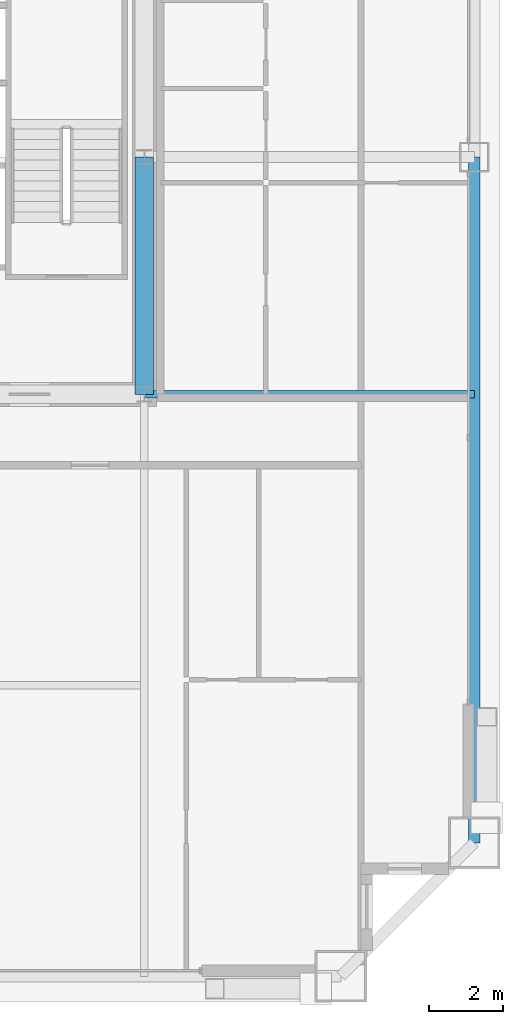
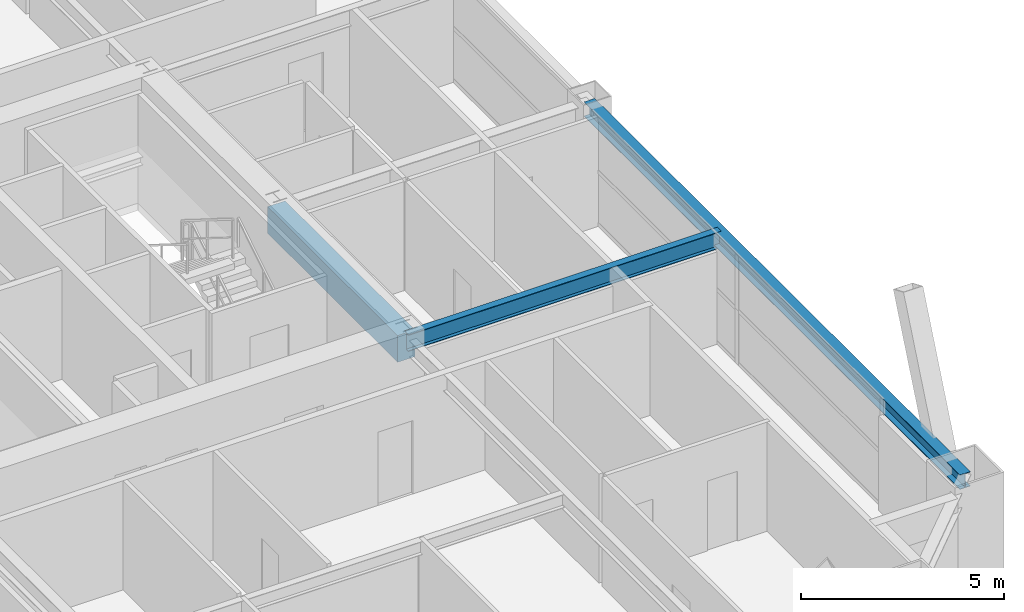
# One storey, part 23 of 45: 3 beams.
"""IFC4 building model written with IfcOpenShell, lengths in metres."""

from ifc_helpers import new_model, si_unit, direction, frame, origin, origin_2d, place, context, subcontext, project, spatial, rectangle, i_section, extrude, source, transform, mapped, material, material_profile, profile_set, type_object, element, save


model = new_model("IFC4")

# Units and contexts
model_context = context("Model", 3, precision=1e-05, world=origin(), true_north=direction((0.0, 1.0)))
body_context = subcontext(model_context, "Body", "Model", "MODEL_VIEW")
ifc_project = project(units=[si_unit("LENGTHUNIT", "METRE"), si_unit("AREAUNIT", "SQUARE_METRE"), si_unit("VOLUMEUNIT", "CUBIC_METRE"), si_unit("PLANEANGLEUNIT", "RADIAN"), si_unit("MASSUNIT", "GRAM", prefix="KILO"), si_unit("THERMODYNAMICTEMPERATUREUNIT", "KELVIN"), si_unit("POWERUNIT", "WATT")], contexts=[model_context])

# Site, building, storey
site_placement = place(None, origin())
site = spatial("IfcSite", under=ifc_project, at=site_placement, CompositionType="ELEMENT")
building_placement = place(site_placement, origin())
building = spatial("IfcBuilding", under=site, at=building_placement, Name="Yuzanri Waterfront Tower", CompositionType="ELEMENT")
storey_placement = place(building_placement, frame((0.0, 0.0, 198.5)))
storey = spatial("IfcBuildingStorey", under=building, at=storey_placement, Name="L52", CompositionType="ELEMENT", Elevation=198.5)

# Beams
ifc_material_1 = material(Name="Steel Q355B", Category="steel")
ifc_material_profile_1 = material_profile(ifc_material_1, i_section(OverallWidth=0.300048828125, OverallDepth=0.43994140625, WebThickness=0.010986328125, FlangeThickness=0.01806640625, at=origin_2d()), Name="HM 440x300x11x18")
ifc_profile_set_1 = profile_set([ifc_material_profile_1], Name="Steel Q355B")
beam_type_1 = type_object("IfcBeamType", Name="Perimeter Spandrel Q355B HM 440x300", PredefinedType="SPANDREL", material=ifc_profile_set_1)
shared_shape_1 = source(origin(), body_context, "Body", "SweptSolid", [
    extrude(i_section(OverallWidth=0.300048828125, OverallDepth=0.43994140625, WebThickness=0.010986328125, FlangeThickness=0.01806640625, at=origin_2d()), origin(), (0.0, 0.0, 1.0), 18.5),
])
beam_1_placement = place(storey_placement, frame((59.10009765625, 7.300048828125, 3.06005859375), z_axis=(0.0, 1.0, 0.0), x_axis=(-1.0, 0.0, 0.0)))
element("IfcBeam", 1, at=beam_1_placement, inside=storey, type_object=beam_type_1, Name="L52 Perimeter Spandrel E1-E2", PredefinedType="SPANDREL", context=body_context, shape_type="MappedRepresentation", body=[
    mapped(shared_shape_1, transform((0.0, 0.0, 0.0), scale=1.0)),
])
ifc_material_2 = material(Name="Steel Q355B", Category="steel")
ifc_material_profile_2 = material_profile(ifc_material_2, i_section(OverallWidth=0.199951171875, OverallDepth=0.5, WebThickness=0.010009765625, FlangeThickness=0.01611328125, at=origin_2d()), Name="HN 500x200x10x16")
ifc_profile_set_2 = profile_set([ifc_material_profile_2], Name="Steel Q355B")
beam_type_2 = type_object("IfcBeamType", Name="Secondary Floor Beam Q355B HN 500x200", PredefinedType="BEAM", material=ifc_profile_set_2)
shared_shape_2 = source(origin(), body_context, "Body", "SweptSolid", [
    extrude(i_section(OverallWidth=0.199951171875, OverallDepth=0.5, WebThickness=0.010009765625, FlangeThickness=0.01611328125, at=origin_2d()), origin(), (0.0, 0.0, 1.0), 8.900146484375),
])
beam_2_placement = place(storey_placement, frame((50.199951171875, 19.39990234375, 3.030029296875), z_axis=(1.0, 0.0, 0.0), x_axis=(0.0, 1.0, 0.0)))
element("IfcBeam", 2, at=beam_2_placement, inside=storey, type_object=beam_type_2, Name="L52 East-South Core Line Beam", PredefinedType="BEAM", context=body_context, shape_type="MappedRepresentation", body=[
    mapped(shared_shape_2, transform((0.0, 0.0, 0.0), scale=1.0)),
])
ifc_material_3 = material(Name="Concrete C50", Category="concrete")
ifc_material_profile_3 = material_profile(ifc_material_3, rectangle(XDim=0.5, YDim=0.800048828125, at=origin_2d()), Name="RC 500x800")
ifc_profile_set_3 = profile_set([ifc_material_profile_3], Name="Concrete C50")
beam_type_3 = type_object("IfcBeamType", Name="Core Coupling Lintel Concrete C50 500x800", PredefinedType="LINTEL", material=ifc_profile_set_3)
shared_shape_3 = source(origin(), body_context, "Body", "SweptSolid", [
    extrude(rectangle(XDim=0.5, YDim=0.800048828125, at=origin_2d()), origin(), (0.0, 0.0, 1.0), 6.400146484375),
])
beam_3_placement = place(storey_placement, frame((50.199951171875, 19.39990234375, 2.8798828125), z_axis=(0.0, 1.0, 0.0), x_axis=(-1.0, 0.0, 0.0)))
element("IfcBeam", 3, at=beam_3_placement, inside=storey, type_object=beam_type_3, Name="L52 Core Tie Beam CE1", PredefinedType="LINTEL", context=body_context, shape_type="MappedRepresentation", body=[
    mapped(shared_shape_3, transform((0.0, 0.0, 0.0), scale=1.0)),
])

save(model, "model.ifc")
